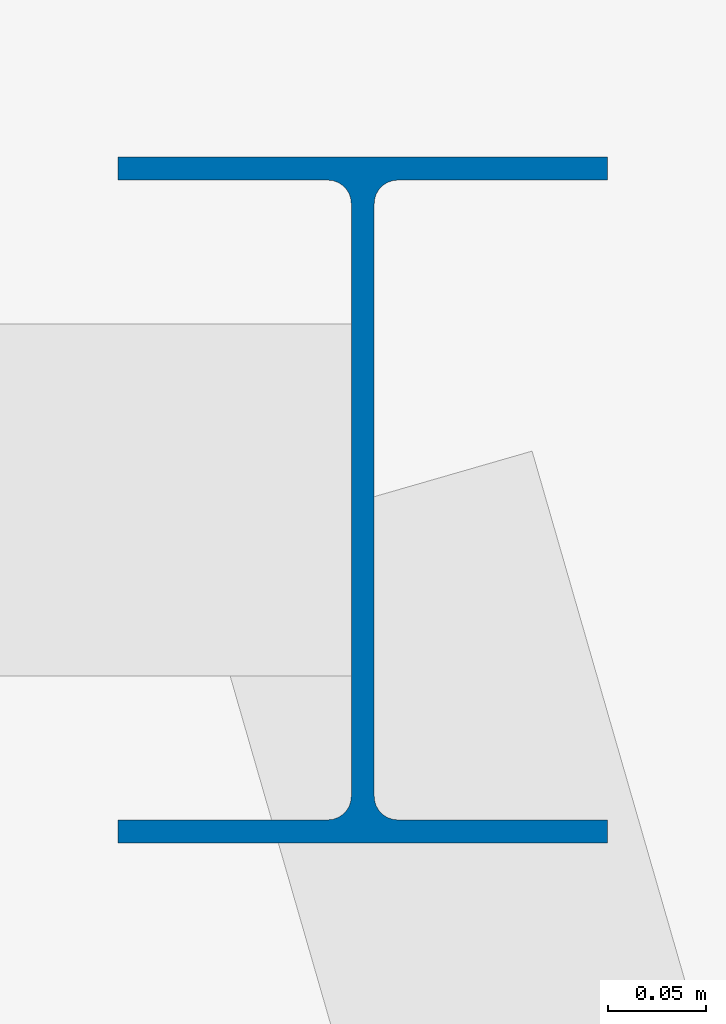
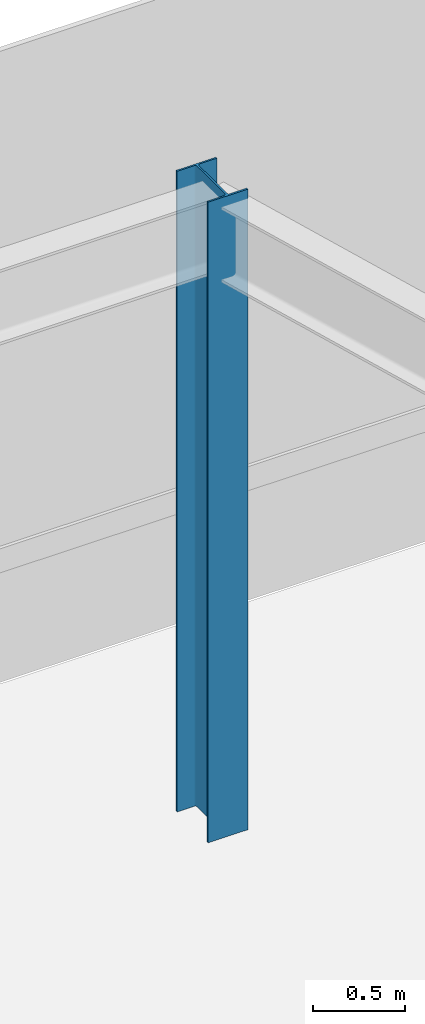
# One storey, part 4 of 26: 1 column.
"""IFC4 building model written with IfcOpenShell, lengths in metres."""

from ifc_helpers import new_model, si_unit, direction, frame, origin, origin_2d, place, context, subcontext, project, spatial, i_section, extrude, source, transform, mapped, material, material_profile, profile_set, type_object, element, save


model = new_model("IFC4")

# Units and contexts
model_context = context("Model", 3, precision=1e-05, world=origin(), true_north=direction((0.0, 1.0)))
body_context = subcontext(model_context, "Body", "Model", "MODEL_VIEW")
ifc_project = project(units=[si_unit("LENGTHUNIT", "METRE"), si_unit("AREAUNIT", "SQUARE_METRE"), si_unit("VOLUMEUNIT", "CUBIC_METRE"), si_unit("PLANEANGLEUNIT", "RADIAN"), si_unit("MASSUNIT", "GRAM", prefix="KILO")], contexts=[model_context])

# Site, building, storey
site_placement = place(None, origin())
site = spatial("IfcSite", under=ifc_project, at=site_placement, CompositionType="ELEMENT")
building_placement = place(site_placement, origin())
building = spatial("IfcBuilding", under=site, at=building_placement, Name="Sahyath Konkavel Grand Hotel", CompositionType="ELEMENT")
storey_placement = place(building_placement, frame((0.0, 0.0, 18.60009765625)))
storey = spatial("IfcBuildingStorey", under=building, at=storey_placement, Name="L04", CompositionType="ELEMENT", Elevation=18.60009765625)

# Column
ifc_material = material(Name="Steel E350", Category="steel")
ifc_material_profile = material_profile(ifc_material, i_section(OverallWidth=0.25, OverallDepth=0.35009765625, WebThickness=0.01171875, FlangeThickness=0.01171875, FilletRadius=0.011962890625, at=origin_2d()), Name="ISHB 350")
ifc_profile_set = profile_set([ifc_material_profile], Name="Steel E350")
column_type = type_object("IfcColumnType", Name="COL-ISHB350", PredefinedType="COLUMN", material=ifc_profile_set)
shared_shape = source(origin(), body_context, "Body", "SweptSolid", [
    extrude(i_section(OverallWidth=0.25, OverallDepth=0.35009765625, WebThickness=0.01171875, FlangeThickness=0.01171875, FilletRadius=0.011962890625, at=origin_2d()), origin(), (0.0, 0.0, 1.0), 4.260009765625),
])
column_placement = place(storey_placement, frame((18.0, 20.5, 0.0), z_axis=(0.0, 0.0, 1.0), x_axis=(1.0, 0.0, 0.0)))
element("IfcColumn", 1, at=column_placement, inside=storey, type_object=column_type, Name="L04 Sandstone Colonnade Pier CL-N4", PredefinedType="COLUMN", context=body_context, shape_type="MappedRepresentation", body=[
    mapped(shared_shape, transform((0.0, 0.0, 0.0), scale=1.0)),
])

save(model, "model.ifc")
